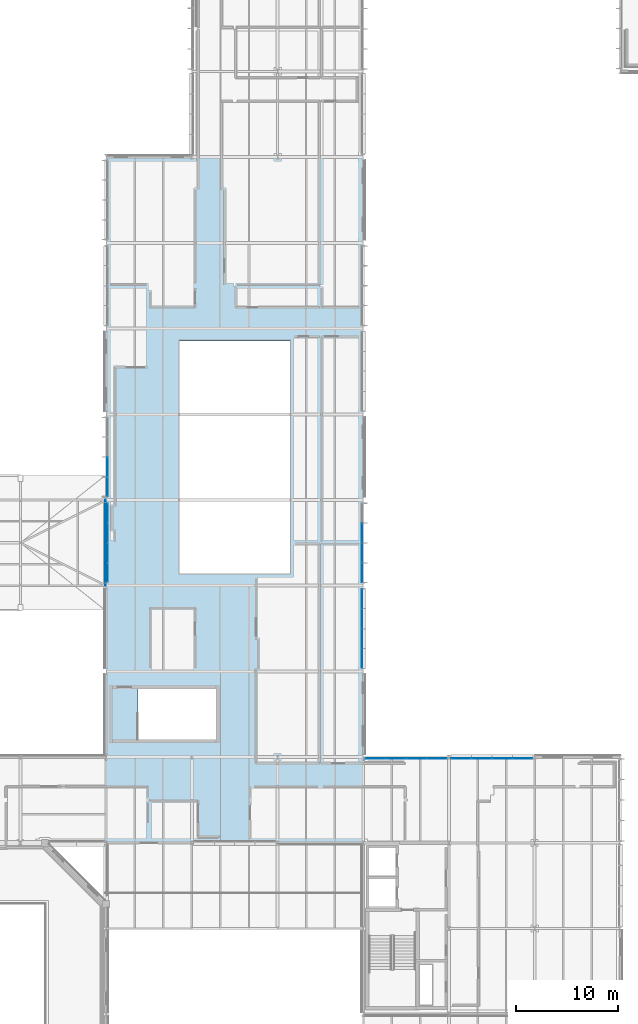
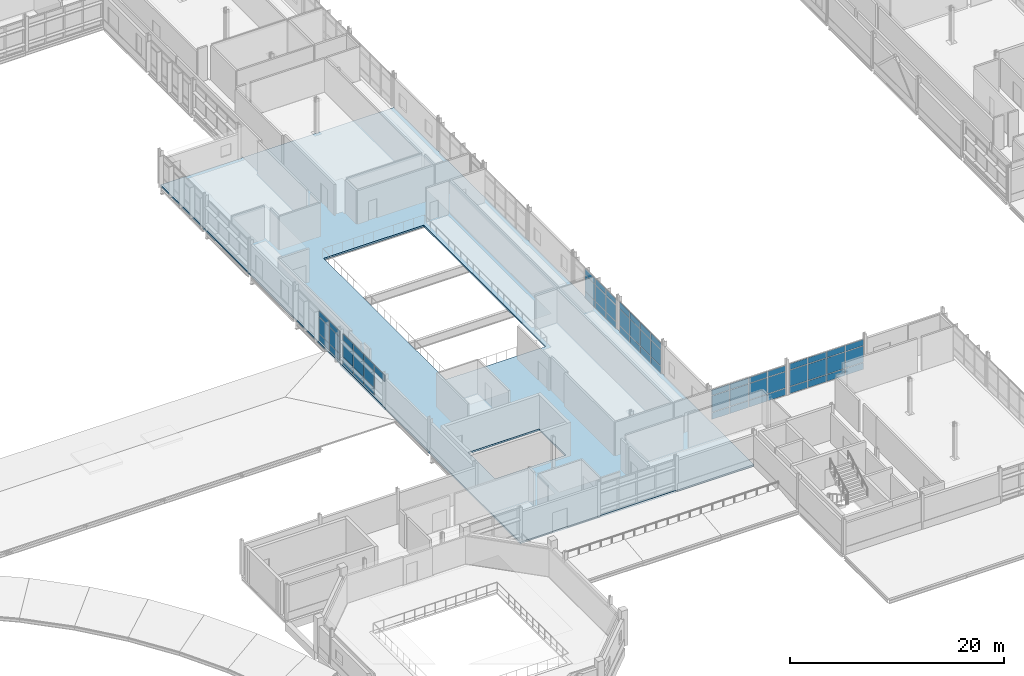
# One storey, part 109 of 151: 61 plates, 2 slabs, 6 elements without a shape of their own.
"""IFC4 building model written with IfcOpenShell, lengths in metres."""

from ifc_helpers import new_model, si_unit, direction, frame, origin, origin_2d, place, context, subcontext, project, spatial, polyline, rectangle, outline, extrude, material, layer, layer_set, type_object, element, aggregate, save


model = new_model("IFC4")

# Units and contexts
model_context = context("Model", 3, precision=1e-05, world=origin(), true_north=direction((0.0, 1.0)))
body_context = subcontext(model_context, "Body", "Model", "MODEL_VIEW")
ifc_project = project(units=[si_unit("LENGTHUNIT", "METRE"), si_unit("AREAUNIT", "SQUARE_METRE"), si_unit("VOLUMEUNIT", "CUBIC_METRE"), si_unit("PLANEANGLEUNIT", "RADIAN"), si_unit("MASSUNIT", "GRAM", prefix="KILO")], contexts=[model_context])

# Site, building, storey
site_placement = place(None, origin())
site = spatial("IfcSite", under=ifc_project, at=site_placement, CompositionType="ELEMENT")
building_placement = place(site_placement, origin())
building = spatial("IfcBuilding", under=site, at=building_placement, Name="Mersafa Astral City Hall", CompositionType="ELEMENT")
storey_placement = place(building_placement, frame((0.0, 0.0, 9.89990234375)))
storey = spatial("IfcBuildingStorey", under=building, at=storey_placement, Name="L02", CompositionType="ELEMENT", Elevation=9.89990234375)

# Curtain wall, plates
ifc_material_1 = material(Name="Anodised bronze aluminium framing", Category="aluminium")
curtain_wall_type_1 = type_object("IfcCurtainWallType", Name="ENV-CW-5", PredefinedType="USERDEFINED", material=ifc_material_1)
curtain_wall_1_placement = place(storey_placement, origin())
curtain_wall_1 = element("IfcCurtainWall", 1, at=curtain_wall_1_placement, inside=storey, type_object=curtain_wall_type_1, Name="L02 Unitised solar curtain wall 112", ObjectType="UNITISED CURTAIN WALL", PredefinedType="USERDEFINED")
ifc_material_2 = material(Name="Solar control low-e double glazing", Category="glass")
ifc_layer_1 = layer(ifc_material_2, 0.028076171875, Name="Solar control low-e double glazing")
ifc_layer_set_1 = layer_set([ifc_layer_1], Name="Solar control low-e double glazing — ENV-CW-PNL-GLZ-1")
plate_type_1 = type_object("IfcPlateType", Name="ENV-CW-PNL-GLZ-1", PredefinedType="CURTAIN_PANEL", material=ifc_layer_set_1)
plate_1_placement = place(storey_placement, frame((117.47998046875, 51.68017578125, 0.05810546875), z_axis=(0.0, 0.0, 1.0), x_axis=(0.0, 1.0, 0.0)))
plate_1 = element("IfcPlate", 2, at=plate_1_placement, type_object=plate_type_1, Name="CW-5 panel 1.1", PredefinedType="CURTAIN_PANEL", context=body_context, shape_type="SweptSolid", body=[
    extrude(rectangle(XDim=1.866455078125, YDim=0.028076171875, at=origin_2d()), origin(), (0.0, 0.0, 1.0), 0.761962890625),
])
plate_2_placement = place(storey_placement, frame((117.47998046875, 51.68017578125, 0.8798828125), z_axis=(0.0, 0.0, 1.0), x_axis=(0.0, 1.0, 0.0)))
plate_2 = element("IfcPlate", 3, at=plate_2_placement, type_object=plate_type_1, Name="CW-5 panel 1.2", PredefinedType="CURTAIN_PANEL", context=body_context, shape_type="SweptSolid", body=[
    extrude(rectangle(XDim=1.866455078125, YDim=0.028076171875, at=origin_2d()), origin(), (0.0, 0.0, 1.0), 1.840087890625),
])
plate_3_placement = place(storey_placement, frame((117.47998046875, 51.68017578125, 2.780029296875), z_axis=(0.0, 0.0, 1.0), x_axis=(0.0, 1.0, 0.0)))
plate_3 = element("IfcPlate", 4, at=plate_3_placement, type_object=plate_type_1, Name="CW-5 panel 1.3", PredefinedType="CURTAIN_PANEL", context=body_context, shape_type="SweptSolid", body=[
    extrude(rectangle(XDim=1.866455078125, YDim=0.028076171875, at=origin_2d()), origin(), (0.0, 0.0, 1.0), 0.64697265625),
])
plate_4_placement = place(storey_placement, frame((117.47998046875, 53.621826171875, 0.05810546875), z_axis=(0.0, 0.0, 1.0), x_axis=(0.0, 1.0, 0.0)))
plate_4 = element("IfcPlate", 5, at=plate_4_placement, type_object=plate_type_1, Name="CW-5 panel 2.1", PredefinedType="CURTAIN_PANEL", context=body_context, shape_type="SweptSolid", body=[
    extrude(rectangle(XDim=1.896484375, YDim=0.028076171875, at=origin_2d()), origin(), (0.0, 0.0, 1.0), 0.761962890625),
])
plate_5_placement = place(storey_placement, frame((117.47998046875, 53.621826171875, 0.8798828125), z_axis=(0.0, 0.0, 1.0), x_axis=(0.0, 1.0, 0.0)))
plate_5 = element("IfcPlate", 6, at=plate_5_placement, type_object=plate_type_1, Name="CW-5 panel 2.2", PredefinedType="CURTAIN_PANEL", context=body_context, shape_type="SweptSolid", body=[
    extrude(rectangle(XDim=1.896484375, YDim=0.028076171875, at=origin_2d()), origin(), (0.0, 0.0, 1.0), 1.840087890625),
])
plate_6_placement = place(storey_placement, frame((117.47998046875, 53.621826171875, 2.780029296875), z_axis=(0.0, 0.0, 1.0), x_axis=(0.0, 1.0, 0.0)))
plate_6 = element("IfcPlate", 7, at=plate_6_placement, type_object=plate_type_1, Name="CW-5 panel 2.3", PredefinedType="CURTAIN_PANEL", context=body_context, shape_type="SweptSolid", body=[
    extrude(rectangle(XDim=1.896484375, YDim=0.028076171875, at=origin_2d()), origin(), (0.0, 0.0, 1.0), 0.64697265625),
])
plate_7_placement = place(storey_placement, frame((117.47998046875, 55.578369140625, 0.05810546875), z_axis=(0.0, 0.0, 1.0), x_axis=(0.0, 1.0, 0.0)))
plate_7 = element("IfcPlate", 8, at=plate_7_placement, type_object=plate_type_1, Name="CW-5 panel 3.1", PredefinedType="CURTAIN_PANEL", context=body_context, shape_type="SweptSolid", body=[
    extrude(rectangle(XDim=1.896484375, YDim=0.028076171875, at=origin_2d()), origin(), (0.0, 0.0, 1.0), 0.761962890625),
])
plate_8_placement = place(storey_placement, frame((117.47998046875, 55.578369140625, 0.8798828125), z_axis=(0.0, 0.0, 1.0), x_axis=(0.0, 1.0, 0.0)))
plate_8 = element("IfcPlate", 9, at=plate_8_placement, type_object=plate_type_1, Name="CW-5 panel 3.2", PredefinedType="CURTAIN_PANEL", context=body_context, shape_type="SweptSolid", body=[
    extrude(rectangle(XDim=1.896484375, YDim=0.028076171875, at=origin_2d()), origin(), (0.0, 0.0, 1.0), 1.840087890625),
])
plate_9_placement = place(storey_placement, frame((117.47998046875, 55.578369140625, 2.780029296875), z_axis=(0.0, 0.0, 1.0), x_axis=(0.0, 1.0, 0.0)))
plate_9 = element("IfcPlate", 10, at=plate_9_placement, type_object=plate_type_1, Name="CW-5 panel 3.3", PredefinedType="CURTAIN_PANEL", context=body_context, shape_type="SweptSolid", body=[
    extrude(rectangle(XDim=1.896484375, YDim=0.028076171875, at=origin_2d()), origin(), (0.0, 0.0, 1.0), 0.64697265625),
])
aggregate(curtain_wall_1, [plate_1, plate_2, plate_3, plate_4, plate_5, plate_6, plate_7, plate_8, plate_9])

curtain_wall_type_2 = type_object("IfcCurtainWallType", Name="ENV-CW-2", PredefinedType="USERDEFINED", material=ifc_material_1)
curtain_wall_2_placement = place(storey_placement, origin())
curtain_wall_2 = element("IfcCurtainWall", 11, at=curtain_wall_2_placement, inside=storey, type_object=curtain_wall_type_2, Name="L02 Unitised solar curtain wall 109", ObjectType="UNITISED CURTAIN WALL", PredefinedType="USERDEFINED")
ifc_layer_2 = layer(ifc_material_2, 0.031982421875, Name="Solar control low-e double glazing")
ifc_layer_set_2 = layer_set([ifc_layer_2], Name="Solar control low-e double glazing — ENV-CW-PNL-GLZ-2")
plate_type_2 = type_object("IfcPlateType", Name="ENV-CW-PNL-GLZ-2", PredefinedType="CURTAIN_PANEL", material=ifc_layer_set_2)
plate_10_placement = place(storey_placement, frame((133.21337890625, 33.47998046875, 0.05810546875), z_axis=(0.0, 0.0, 1.0), x_axis=(-1.0, 0.0, 0.0)))
plate_10 = element("IfcPlate", 12, at=plate_10_placement, type_object=plate_type_2, Name="CW-2 panel 1.1", PredefinedType="CURTAIN_PANEL", context=body_context, shape_type="SweptSolid", body=[
    extrude(rectangle(XDim=1.928955078125, YDim=0.031982421875, at=origin_2d()), origin(), (0.0, 0.0, 1.0), 0.761962890625),
])
plate_11_placement = place(storey_placement, frame((133.21337890625, 33.47998046875, 0.8798828125), z_axis=(0.0, 0.0, 1.0), x_axis=(-1.0, 0.0, 0.0)))
plate_11 = element("IfcPlate", 13, at=plate_11_placement, type_object=plate_type_2, Name="CW-2 panel 1.2", PredefinedType="CURTAIN_PANEL", context=body_context, shape_type="SweptSolid", body=[
    extrude(rectangle(XDim=1.928955078125, YDim=0.031982421875, at=origin_2d()), origin(), (0.0, 0.0, 1.0), 1.840087890625),
])
plate_12_placement = place(storey_placement, frame((133.21337890625, 33.47998046875, 2.7802734375), z_axis=(0.0, 0.0, 1.0), x_axis=(-1.0, 0.0, 0.0)))
plate_12 = element("IfcPlate", 14, at=plate_12_placement, type_object=plate_type_2, Name="CW-2 panel 1.3", PredefinedType="CURTAIN_PANEL", context=body_context, shape_type="SweptSolid", body=[
    extrude(rectangle(XDim=1.928955078125, YDim=0.031982421875, at=origin_2d()), origin(), (0.0, 0.0, 1.0), 0.677001953125),
])
plate_13_placement = place(storey_placement, frame((131.20947265625, 33.47998046875, 0.05810546875), z_axis=(0.0, 0.0, 1.0), x_axis=(-1.0, 0.0, 0.0)))
plate_13 = element("IfcPlate", 15, at=plate_13_placement, type_object=plate_type_2, Name="CW-2 panel 2.1", PredefinedType="CURTAIN_PANEL", context=body_context, shape_type="SweptSolid", body=[
    extrude(rectangle(XDim=1.958984375, YDim=0.031982421875, at=origin_2d()), origin(), (0.0, 0.0, 1.0), 0.761962890625),
])
plate_14_placement = place(storey_placement, frame((131.20947265625, 33.47998046875, 0.8798828125), z_axis=(0.0, 0.0, 1.0), x_axis=(-1.0, 0.0, 0.0)))
plate_14 = element("IfcPlate", 16, at=plate_14_placement, type_object=plate_type_2, Name="CW-2 panel 2.2", PredefinedType="CURTAIN_PANEL", context=body_context, shape_type="SweptSolid", body=[
    extrude(rectangle(XDim=1.958984375, YDim=0.031982421875, at=origin_2d()), origin(), (0.0, 0.0, 1.0), 1.840087890625),
])
plate_15_placement = place(storey_placement, frame((131.20947265625, 33.47998046875, 2.7802734375), z_axis=(0.0, 0.0, 1.0), x_axis=(-1.0, 0.0, 0.0)))
plate_15 = element("IfcPlate", 17, at=plate_15_placement, type_object=plate_type_2, Name="CW-2 panel 2.3", PredefinedType="CURTAIN_PANEL", context=body_context, shape_type="SweptSolid", body=[
    extrude(rectangle(XDim=1.958984375, YDim=0.031982421875, at=origin_2d()), origin(), (0.0, 0.0, 1.0), 0.677001953125),
])
plate_16_placement = place(storey_placement, frame((129.1904296875, 33.47998046875, 0.05810546875), z_axis=(0.0, 0.0, 1.0), x_axis=(-1.0, 0.0, 0.0)))
plate_16 = element("IfcPlate", 18, at=plate_16_placement, type_object=plate_type_2, Name="CW-2 panel 3.1", PredefinedType="CURTAIN_PANEL", context=body_context, shape_type="SweptSolid", body=[
    extrude(rectangle(XDim=1.958984375, YDim=0.031982421875, at=origin_2d()), origin(), (0.0, 0.0, 1.0), 0.761962890625),
])
plate_17_placement = place(storey_placement, frame((129.1904296875, 33.47998046875, 0.8798828125), z_axis=(0.0, 0.0, 1.0), x_axis=(-1.0, 0.0, 0.0)))
plate_17 = element("IfcPlate", 19, at=plate_17_placement, type_object=plate_type_2, Name="CW-2 panel 3.2", PredefinedType="CURTAIN_PANEL", context=body_context, shape_type="SweptSolid", body=[
    extrude(rectangle(XDim=1.958984375, YDim=0.031982421875, at=origin_2d()), origin(), (0.0, 0.0, 1.0), 1.840087890625),
])
plate_18_placement = place(storey_placement, frame((129.1904296875, 33.47998046875, 2.7802734375), z_axis=(0.0, 0.0, 1.0), x_axis=(-1.0, 0.0, 0.0)))
plate_18 = element("IfcPlate", 20, at=plate_18_placement, type_object=plate_type_2, Name="CW-2 panel 3.3", PredefinedType="CURTAIN_PANEL", context=body_context, shape_type="SweptSolid", body=[
    extrude(rectangle(XDim=1.958984375, YDim=0.031982421875, at=origin_2d()), origin(), (0.0, 0.0, 1.0), 0.677001953125),
])
plate_19_placement = place(storey_placement, frame((127.1865234375, 33.47998046875, 0.05810546875), z_axis=(0.0, 0.0, 1.0), x_axis=(-1.0, 0.0, 0.0)))
plate_19 = element("IfcPlate", 21, at=plate_19_placement, type_object=plate_type_2, Name="CW-2 panel 4.1", PredefinedType="CURTAIN_PANEL", context=body_context, shape_type="SweptSolid", body=[
    extrude(rectangle(XDim=1.928955078125, YDim=0.031982421875, at=origin_2d()), origin(), (0.0, 0.0, 1.0), 0.761962890625),
])
plate_20_placement = place(storey_placement, frame((127.1865234375, 33.47998046875, 0.8798828125), z_axis=(0.0, 0.0, 1.0), x_axis=(-1.0, 0.0, 0.0)))
plate_20 = element("IfcPlate", 22, at=plate_20_placement, type_object=plate_type_2, Name="CW-2 panel 4.2", PredefinedType="CURTAIN_PANEL", context=body_context, shape_type="SweptSolid", body=[
    extrude(rectangle(XDim=1.928955078125, YDim=0.031982421875, at=origin_2d()), origin(), (0.0, 0.0, 1.0), 1.840087890625),
])
plate_21_placement = place(storey_placement, frame((127.1865234375, 33.47998046875, 2.7802734375), z_axis=(0.0, 0.0, 1.0), x_axis=(-1.0, 0.0, 0.0)))
plate_21 = element("IfcPlate", 23, at=plate_21_placement, type_object=plate_type_2, Name="CW-2 panel 4.3", PredefinedType="CURTAIN_PANEL", context=body_context, shape_type="SweptSolid", body=[
    extrude(rectangle(XDim=1.928955078125, YDim=0.031982421875, at=origin_2d()), origin(), (0.0, 0.0, 1.0), 0.677001953125),
])
aggregate(curtain_wall_2, [plate_10, plate_11, plate_12, plate_13, plate_14, plate_15, plate_16, plate_17, plate_18, plate_19, plate_20, plate_21])

curtain_wall_type_3 = type_object("IfcCurtainWallType", Name="ENV-CW-3", PredefinedType="USERDEFINED", material=ifc_material_1)
curtain_wall_3_placement = place(storey_placement, origin())
curtain_wall_3 = element("IfcCurtainWall", 24, at=curtain_wall_3_placement, inside=storey, type_object=curtain_wall_type_3, Name="L02 Unitised solar curtain wall 110", ObjectType="UNITISED CURTAIN WALL", PredefinedType="USERDEFINED")
ifc_layer_3 = layer(ifc_material_2, 0.035888671875, Name="Solar control low-e double glazing")
ifc_layer_set_3 = layer_set([ifc_layer_3], Name="Solar control low-e double glazing — ENV-CW-PNL-GLZ-3")
plate_type_3 = type_object("IfcPlateType", Name="ENV-CW-PNL-GLZ-3", PredefinedType="CURTAIN_PANEL", material=ifc_layer_set_3)
plate_22_placement = place(storey_placement, frame((124.8134765625, 33.47998046875, 0.05810546875), z_axis=(0.0, 0.0, 1.0), x_axis=(-1.0, 0.0, 0.0)))
plate_22 = element("IfcPlate", 25, at=plate_22_placement, type_object=plate_type_3, Name="CW-3 panel 1.1", PredefinedType="CURTAIN_PANEL", context=body_context, shape_type="SweptSolid", body=[
    extrude(rectangle(XDim=1.928955078125, YDim=0.035888671875, at=origin_2d()), origin(), (0.0, 0.0, 1.0), 0.761962890625),
])
plate_23_placement = place(storey_placement, frame((124.8134765625, 33.47998046875, 0.8798828125), z_axis=(0.0, 0.0, 1.0), x_axis=(-1.0, 0.0, 0.0)))
plate_23 = element("IfcPlate", 26, at=plate_23_placement, type_object=plate_type_3, Name="CW-3 panel 1.2", PredefinedType="CURTAIN_PANEL", context=body_context, shape_type="SweptSolid", body=[
    extrude(rectangle(XDim=1.928955078125, YDim=0.035888671875, at=origin_2d()), origin(), (0.0, 0.0, 1.0), 1.840087890625),
])
plate_24_placement = place(storey_placement, frame((124.8134765625, 33.47998046875, 2.780029296875), z_axis=(0.0, 0.0, 1.0), x_axis=(-1.0, 0.0, 0.0)))
plate_24 = element("IfcPlate", 27, at=plate_24_placement, type_object=plate_type_3, Name="CW-3 panel 1.3", PredefinedType="CURTAIN_PANEL", context=body_context, shape_type="SweptSolid", body=[
    extrude(rectangle(XDim=1.928955078125, YDim=0.035888671875, at=origin_2d()), origin(), (0.0, 0.0, 1.0), 0.64697265625),
])
plate_25_placement = place(storey_placement, frame((122.8095703125, 33.47998046875, 0.05810546875), z_axis=(0.0, 0.0, 1.0), x_axis=(-1.0, 0.0, 0.0)))
plate_25 = element("IfcPlate", 28, at=plate_25_placement, type_object=plate_type_3, Name="CW-3 panel 2.1", PredefinedType="CURTAIN_PANEL", context=body_context, shape_type="SweptSolid", body=[
    extrude(rectangle(XDim=1.958984375, YDim=0.035888671875, at=origin_2d()), origin(), (0.0, 0.0, 1.0), 0.761962890625),
])
plate_26_placement = place(storey_placement, frame((122.8095703125, 33.47998046875, 0.8798828125), z_axis=(0.0, 0.0, 1.0), x_axis=(-1.0, 0.0, 0.0)))
plate_26 = element("IfcPlate", 29, at=plate_26_placement, type_object=plate_type_3, Name="CW-3 panel 2.2", PredefinedType="CURTAIN_PANEL", context=body_context, shape_type="SweptSolid", body=[
    extrude(rectangle(XDim=1.958984375, YDim=0.035888671875, at=origin_2d()), origin(), (0.0, 0.0, 1.0), 1.840087890625),
])
plate_27_placement = place(storey_placement, frame((122.8095703125, 33.47998046875, 2.780029296875), z_axis=(0.0, 0.0, 1.0), x_axis=(-1.0, 0.0, 0.0)))
plate_27 = element("IfcPlate", 30, at=plate_27_placement, type_object=plate_type_3, Name="CW-3 panel 2.3", PredefinedType="CURTAIN_PANEL", context=body_context, shape_type="SweptSolid", body=[
    extrude(rectangle(XDim=1.958984375, YDim=0.035888671875, at=origin_2d()), origin(), (0.0, 0.0, 1.0), 0.64697265625),
])
plate_28_placement = place(storey_placement, frame((120.79052734375, 33.47998046875, 0.05810546875), z_axis=(0.0, 0.0, 1.0), x_axis=(-1.0, 0.0, 0.0)))
plate_28 = element("IfcPlate", 31, at=plate_28_placement, type_object=plate_type_3, Name="CW-3 panel 3.1", PredefinedType="CURTAIN_PANEL", context=body_context, shape_type="SweptSolid", body=[
    extrude(rectangle(XDim=1.958984375, YDim=0.035888671875, at=origin_2d()), origin(), (0.0, 0.0, 1.0), 0.761962890625),
])
plate_29_placement = place(storey_placement, frame((120.79052734375, 33.47998046875, 0.8798828125), z_axis=(0.0, 0.0, 1.0), x_axis=(-1.0, 0.0, 0.0)))
plate_29 = element("IfcPlate", 32, at=plate_29_placement, type_object=plate_type_3, Name="CW-3 panel 3.2", PredefinedType="CURTAIN_PANEL", context=body_context, shape_type="SweptSolid", body=[
    extrude(rectangle(XDim=1.958984375, YDim=0.035888671875, at=origin_2d()), origin(), (0.0, 0.0, 1.0), 1.840087890625),
])
plate_30_placement = place(storey_placement, frame((120.79052734375, 33.47998046875, 2.780029296875), z_axis=(0.0, 0.0, 1.0), x_axis=(-1.0, 0.0, 0.0)))
plate_30 = element("IfcPlate", 33, at=plate_30_placement, type_object=plate_type_3, Name="CW-3 panel 3.3", PredefinedType="CURTAIN_PANEL", context=body_context, shape_type="SweptSolid", body=[
    extrude(rectangle(XDim=1.958984375, YDim=0.035888671875, at=origin_2d()), origin(), (0.0, 0.0, 1.0), 0.64697265625),
])
plate_31_placement = place(storey_placement, frame((118.78662109375, 33.47998046875, 0.05810546875), z_axis=(0.0, 0.0, 1.0), x_axis=(-1.0, 0.0, 0.0)))
plate_31 = element("IfcPlate", 34, at=plate_31_placement, type_object=plate_type_3, Name="CW-3 panel 4.1", PredefinedType="CURTAIN_PANEL", context=body_context, shape_type="SweptSolid", body=[
    extrude(rectangle(XDim=1.928955078125, YDim=0.035888671875, at=origin_2d()), origin(), (0.0, 0.0, 1.0), 0.761962890625),
])
plate_32_placement = place(storey_placement, frame((118.78662109375, 33.47998046875, 0.8798828125), z_axis=(0.0, 0.0, 1.0), x_axis=(-1.0, 0.0, 0.0)))
plate_32 = element("IfcPlate", 35, at=plate_32_placement, type_object=plate_type_3, Name="CW-3 panel 4.2", PredefinedType="CURTAIN_PANEL", context=body_context, shape_type="SweptSolid", body=[
    extrude(rectangle(XDim=1.928955078125, YDim=0.035888671875, at=origin_2d()), origin(), (0.0, 0.0, 1.0), 1.840087890625),
])
plate_33_placement = place(storey_placement, frame((118.78662109375, 33.47998046875, 2.780029296875), z_axis=(0.0, 0.0, 1.0), x_axis=(-1.0, 0.0, 0.0)))
plate_33 = element("IfcPlate", 36, at=plate_33_placement, type_object=plate_type_3, Name="CW-3 panel 4.3", PredefinedType="CURTAIN_PANEL", context=body_context, shape_type="SweptSolid", body=[
    extrude(rectangle(XDim=1.928955078125, YDim=0.035888671875, at=origin_2d()), origin(), (0.0, 0.0, 1.0), 0.64697265625),
])
aggregate(curtain_wall_3, [plate_22, plate_23, plate_24, plate_25, plate_26, plate_27, plate_28, plate_29, plate_30, plate_31, plate_32, plate_33])

curtain_wall_4_placement = place(storey_placement, origin())
curtain_wall_4 = element("IfcCurtainWall", 37, at=curtain_wall_4_placement, inside=storey, type_object=curtain_wall_type_3, Name="L02 Unitised solar curtain wall 146", ObjectType="UNITISED CURTAIN WALL", PredefinedType="USERDEFINED")
plate_34_placement = place(storey_placement, frame((92.52001953125, 62.021728515625, 0.05810546875), z_axis=(0.0, 0.0, 1.0), x_axis=(0.0, -1.0, 0.0)))
plate_34 = element("IfcPlate", 38, at=plate_34_placement, type_object=plate_type_3, Name="CW-3 panel 3.1", PredefinedType="CURTAIN_PANEL", context=body_context, shape_type="SweptSolid", body=[
    extrude(rectangle(XDim=1.896484375, YDim=0.035888671875, at=origin_2d()), origin(), (0.0, 0.0, 1.0), 0.761962890625),
])
plate_35_placement = place(storey_placement, frame((92.52001953125, 62.021728515625, 0.8798828125), z_axis=(0.0, 0.0, 1.0), x_axis=(0.0, -1.0, 0.0)))
plate_35 = element("IfcPlate", 39, at=plate_35_placement, type_object=plate_type_3, Name="CW-3 panel 3.2", PredefinedType="CURTAIN_PANEL", context=body_context, shape_type="SweptSolid", body=[
    extrude(rectangle(XDim=1.896484375, YDim=0.035888671875, at=origin_2d()), origin(), (0.0, 0.0, 1.0), 1.840087890625),
])
plate_36_placement = place(storey_placement, frame((92.52001953125, 62.021728515625, 2.780029296875), z_axis=(0.0, 0.0, 1.0), x_axis=(0.0, -1.0, 0.0)))
plate_36 = element("IfcPlate", 40, at=plate_36_placement, type_object=plate_type_3, Name="CW-3 panel 3.3", PredefinedType="CURTAIN_PANEL", context=body_context, shape_type="SweptSolid", body=[
    extrude(rectangle(XDim=1.896484375, YDim=0.035888671875, at=origin_2d()), origin(), (0.0, 0.0, 1.0), 0.64697265625),
])
plate_37_placement = place(storey_placement, frame((92.52001953125, 60.080322265625, 0.05810546875), z_axis=(0.0, 0.0, 1.0), x_axis=(0.0, -1.0, 0.0)))
plate_37 = element("IfcPlate", 41, at=plate_37_placement, type_object=plate_type_3, Name="CW-3 panel 4.1", PredefinedType="CURTAIN_PANEL", context=body_context, shape_type="SweptSolid", body=[
    extrude(rectangle(XDim=1.866455078125, YDim=0.035888671875, at=origin_2d()), origin(), (0.0, 0.0, 1.0), 0.761962890625),
])
plate_38_placement = place(storey_placement, frame((92.52001953125, 60.080322265625, 0.8798828125), z_axis=(0.0, 0.0, 1.0), x_axis=(0.0, -1.0, 0.0)))
plate_38 = element("IfcPlate", 42, at=plate_38_placement, type_object=plate_type_3, Name="CW-3 panel 4.2", PredefinedType="CURTAIN_PANEL", context=body_context, shape_type="SweptSolid", body=[
    extrude(rectangle(XDim=1.866455078125, YDim=0.035888671875, at=origin_2d()), origin(), (0.0, 0.0, 1.0), 1.840087890625),
])
plate_39_placement = place(storey_placement, frame((92.52001953125, 60.080322265625, 2.780029296875), z_axis=(0.0, 0.0, 1.0), x_axis=(0.0, -1.0, 0.0)))
plate_39 = element("IfcPlate", 43, at=plate_39_placement, type_object=plate_type_3, Name="CW-3 panel 4.3", PredefinedType="CURTAIN_PANEL", context=body_context, shape_type="SweptSolid", body=[
    extrude(rectangle(XDim=1.866455078125, YDim=0.035888671875, at=origin_2d()), origin(), (0.0, 0.0, 1.0), 0.64697265625),
])
aggregate(curtain_wall_4, [plate_34, plate_35, plate_36, plate_37, plate_38, plate_39])

curtain_wall_type_4 = type_object("IfcCurtainWallType", Name="ENV-CW-4", PredefinedType="USERDEFINED", material=ifc_material_1)
curtain_wall_5_placement = place(storey_placement, origin())
curtain_wall_5 = element("IfcCurtainWall", 44, at=curtain_wall_5_placement, inside=storey, type_object=curtain_wall_type_4, Name="L02 Unitised solar curtain wall 111", ObjectType="UNITISED CURTAIN WALL", PredefinedType="USERDEFINED")
ifc_layer_4 = layer(ifc_material_2, 0.0400390625, Name="Solar control low-e double glazing")
ifc_layer_set_4 = layer_set([ifc_layer_4], Name="Solar control low-e double glazing — ENV-CW-PNL-GLZ-4")
plate_type_4 = type_object("IfcPlateType", Name="ENV-CW-PNL-GLZ-4", PredefinedType="CURTAIN_PANEL", material=ifc_layer_set_4)
plate_40_placement = place(storey_placement, frame((117.47998046875, 43.2802734375, 0.05810546875), z_axis=(0.0, 0.0, 1.0), x_axis=(0.0, 1.0, 0.0)))
plate_40 = element("IfcPlate", 45, at=plate_40_placement, type_object=plate_type_4, Name="CW-4 panel 1.1", PredefinedType="CURTAIN_PANEL", context=body_context, shape_type="SweptSolid", body=[
    extrude(rectangle(XDim=1.866455078125, YDim=0.0400390625, at=origin_2d()), origin(), (0.0, 0.0, 1.0), 0.761962890625),
])
plate_41_placement = place(storey_placement, frame((117.47998046875, 43.2802734375, 0.8798828125), z_axis=(0.0, 0.0, 1.0), x_axis=(0.0, 1.0, 0.0)))
plate_41 = element("IfcPlate", 46, at=plate_41_placement, type_object=plate_type_4, Name="CW-4 panel 1.2", PredefinedType="CURTAIN_PANEL", context=body_context, shape_type="SweptSolid", body=[
    extrude(rectangle(XDim=1.866455078125, YDim=0.0400390625, at=origin_2d()), origin(), (0.0, 0.0, 1.0), 1.840087890625),
])
plate_42_placement = place(storey_placement, frame((117.47998046875, 43.2802734375, 2.7802734375), z_axis=(0.0, 0.0, 1.0), x_axis=(0.0, 1.0, 0.0)))
plate_42 = element("IfcPlate", 47, at=plate_42_placement, type_object=plate_type_4, Name="CW-4 panel 1.3", PredefinedType="CURTAIN_PANEL", context=body_context, shape_type="SweptSolid", body=[
    extrude(rectangle(XDim=1.866455078125, YDim=0.0400390625, at=origin_2d()), origin(), (0.0, 0.0, 1.0), 0.737060546875),
])
plate_43_placement = place(storey_placement, frame((117.47998046875, 45.2216796875, 0.05810546875), z_axis=(0.0, 0.0, 1.0), x_axis=(0.0, 1.0, 0.0)))
plate_43 = element("IfcPlate", 48, at=plate_43_placement, type_object=plate_type_4, Name="CW-4 panel 2.1", PredefinedType="CURTAIN_PANEL", context=body_context, shape_type="SweptSolid", body=[
    extrude(rectangle(XDim=1.896484375, YDim=0.0400390625, at=origin_2d()), origin(), (0.0, 0.0, 1.0), 0.761962890625),
])
plate_44_placement = place(storey_placement, frame((117.47998046875, 45.2216796875, 0.8798828125), z_axis=(0.0, 0.0, 1.0), x_axis=(0.0, 1.0, 0.0)))
plate_44 = element("IfcPlate", 49, at=plate_44_placement, type_object=plate_type_4, Name="CW-4 panel 2.2", PredefinedType="CURTAIN_PANEL", context=body_context, shape_type="SweptSolid", body=[
    extrude(rectangle(XDim=1.896484375, YDim=0.0400390625, at=origin_2d()), origin(), (0.0, 0.0, 1.0), 1.840087890625),
])
plate_45_placement = place(storey_placement, frame((117.47998046875, 45.2216796875, 2.7802734375), z_axis=(0.0, 0.0, 1.0), x_axis=(0.0, 1.0, 0.0)))
plate_45 = element("IfcPlate", 50, at=plate_45_placement, type_object=plate_type_4, Name="CW-4 panel 2.3", PredefinedType="CURTAIN_PANEL", context=body_context, shape_type="SweptSolid", body=[
    extrude(rectangle(XDim=1.896484375, YDim=0.0400390625, at=origin_2d()), origin(), (0.0, 0.0, 1.0), 0.737060546875),
])
plate_46_placement = place(storey_placement, frame((117.47998046875, 47.17822265625, 0.05810546875), z_axis=(0.0, 0.0, 1.0), x_axis=(0.0, 1.0, 0.0)))
plate_46 = element("IfcPlate", 51, at=plate_46_placement, type_object=plate_type_4, Name="CW-4 panel 3.1", PredefinedType="CURTAIN_PANEL", context=body_context, shape_type="SweptSolid", body=[
    extrude(rectangle(XDim=1.896484375, YDim=0.0400390625, at=origin_2d()), origin(), (0.0, 0.0, 1.0), 0.761962890625),
])
plate_47_placement = place(storey_placement, frame((117.47998046875, 47.17822265625, 0.8798828125), z_axis=(0.0, 0.0, 1.0), x_axis=(0.0, 1.0, 0.0)))
plate_47 = element("IfcPlate", 52, at=plate_47_placement, type_object=plate_type_4, Name="CW-4 panel 3.2", PredefinedType="CURTAIN_PANEL", context=body_context, shape_type="SweptSolid", body=[
    extrude(rectangle(XDim=1.896484375, YDim=0.0400390625, at=origin_2d()), origin(), (0.0, 0.0, 1.0), 1.840087890625),
])
plate_48_placement = place(storey_placement, frame((117.47998046875, 47.17822265625, 2.7802734375), z_axis=(0.0, 0.0, 1.0), x_axis=(0.0, 1.0, 0.0)))
plate_48 = element("IfcPlate", 53, at=plate_48_placement, type_object=plate_type_4, Name="CW-4 panel 3.3", PredefinedType="CURTAIN_PANEL", context=body_context, shape_type="SweptSolid", body=[
    extrude(rectangle(XDim=1.896484375, YDim=0.0400390625, at=origin_2d()), origin(), (0.0, 0.0, 1.0), 0.737060546875),
])
plate_49_placement = place(storey_placement, frame((117.47998046875, 49.11962890625, 0.05810546875), z_axis=(0.0, 0.0, 1.0), x_axis=(0.0, 1.0, 0.0)))
plate_49 = element("IfcPlate", 54, at=plate_49_placement, type_object=plate_type_4, Name="CW-4 panel 4.1", PredefinedType="CURTAIN_PANEL", context=body_context, shape_type="SweptSolid", body=[
    extrude(rectangle(XDim=1.866455078125, YDim=0.0400390625, at=origin_2d()), origin(), (0.0, 0.0, 1.0), 0.761962890625),
])
plate_50_placement = place(storey_placement, frame((117.47998046875, 49.11962890625, 0.8798828125), z_axis=(0.0, 0.0, 1.0), x_axis=(0.0, 1.0, 0.0)))
plate_50 = element("IfcPlate", 55, at=plate_50_placement, type_object=plate_type_4, Name="CW-4 panel 4.2", PredefinedType="CURTAIN_PANEL", context=body_context, shape_type="SweptSolid", body=[
    extrude(rectangle(XDim=1.866455078125, YDim=0.0400390625, at=origin_2d()), origin(), (0.0, 0.0, 1.0), 1.840087890625),
])
plate_51_placement = place(storey_placement, frame((117.47998046875, 49.11962890625, 2.7802734375), z_axis=(0.0, 0.0, 1.0), x_axis=(0.0, 1.0, 0.0)))
plate_51 = element("IfcPlate", 56, at=plate_51_placement, type_object=plate_type_4, Name="CW-4 panel 4.3", PredefinedType="CURTAIN_PANEL", context=body_context, shape_type="SweptSolid", body=[
    extrude(rectangle(XDim=1.866455078125, YDim=0.0400390625, at=origin_2d()), origin(), (0.0, 0.0, 1.0), 0.737060546875),
])
aggregate(curtain_wall_5, [plate_40, plate_41, plate_42, plate_43, plate_44, plate_45, plate_46, plate_47, plate_48, plate_49, plate_50, plate_51])

curtain_wall_6_placement = place(storey_placement, origin())
curtain_wall_6 = element("IfcCurtainWall", 57, at=curtain_wall_6_placement, inside=storey, type_object=curtain_wall_type_4, Name="L02 Unitised solar curtain wall 147", ObjectType="UNITISED CURTAIN WALL", PredefinedType="USERDEFINED")
plate_52_placement = place(storey_placement, frame((92.52001953125, 57.519775390625, 0.05810546875), z_axis=(0.0, 0.0, 1.0), x_axis=(0.0, -1.0, 0.0)))
plate_52 = element("IfcPlate", 58, at=plate_52_placement, type_object=plate_type_4, Name="CW-4 panel 1.1", PredefinedType="CURTAIN_PANEL", context=body_context, shape_type="SweptSolid", body=[
    extrude(rectangle(XDim=1.866455078125, YDim=0.0400390625, at=origin_2d()), origin(), (0.0, 0.0, 1.0), 0.761962890625),
])
plate_53_placement = place(storey_placement, frame((92.52001953125, 57.519775390625, 0.8798828125), z_axis=(0.0, 0.0, 1.0), x_axis=(0.0, -1.0, 0.0)))
plate_53 = element("IfcPlate", 59, at=plate_53_placement, type_object=plate_type_4, Name="CW-4 panel 1.2", PredefinedType="CURTAIN_PANEL", context=body_context, shape_type="SweptSolid", body=[
    extrude(rectangle(XDim=1.866455078125, YDim=0.0400390625, at=origin_2d()), origin(), (0.0, 0.0, 1.0), 1.840087890625),
])
plate_54_placement = place(storey_placement, frame((92.52001953125, 57.519775390625, 2.7802734375), z_axis=(0.0, 0.0, 1.0), x_axis=(0.0, -1.0, 0.0)))
plate_54 = element("IfcPlate", 60, at=plate_54_placement, type_object=plate_type_4, Name="CW-4 panel 1.3", PredefinedType="CURTAIN_PANEL", context=body_context, shape_type="SweptSolid", body=[
    extrude(rectangle(XDim=1.866455078125, YDim=0.0400390625, at=origin_2d()), origin(), (0.0, 0.0, 1.0), 0.737060546875),
])
plate_55_placement = place(storey_placement, frame((92.52001953125, 55.578369140625, 0.05810546875), z_axis=(0.0, 0.0, 1.0), x_axis=(0.0, -1.0, 0.0)))
plate_55 = element("IfcPlate", 61, at=plate_55_placement, type_object=plate_type_4, Name="CW-4 panel 2.1", PredefinedType="CURTAIN_PANEL", context=body_context, shape_type="SweptSolid", body=[
    extrude(rectangle(XDim=1.896484375, YDim=0.0400390625, at=origin_2d()), origin(), (0.0, 0.0, 1.0), 0.761962890625),
])
plate_56_placement = place(storey_placement, frame((92.52001953125, 55.578369140625, 0.8798828125), z_axis=(0.0, 0.0, 1.0), x_axis=(0.0, -1.0, 0.0)))
plate_56 = element("IfcPlate", 62, at=plate_56_placement, type_object=plate_type_4, Name="CW-4 panel 2.2", PredefinedType="CURTAIN_PANEL", context=body_context, shape_type="SweptSolid", body=[
    extrude(rectangle(XDim=1.896484375, YDim=0.0400390625, at=origin_2d()), origin(), (0.0, 0.0, 1.0), 1.840087890625),
])
plate_57_placement = place(storey_placement, frame((92.52001953125, 55.578369140625, 2.7802734375), z_axis=(0.0, 0.0, 1.0), x_axis=(0.0, -1.0, 0.0)))
plate_57 = element("IfcPlate", 63, at=plate_57_placement, type_object=plate_type_4, Name="CW-4 panel 2.3", PredefinedType="CURTAIN_PANEL", context=body_context, shape_type="SweptSolid", body=[
    extrude(rectangle(XDim=1.896484375, YDim=0.0400390625, at=origin_2d()), origin(), (0.0, 0.0, 1.0), 0.737060546875),
])
plate_58_placement = place(storey_placement, frame((92.52001953125, 53.621826171875, 0.05810546875), z_axis=(0.0, 0.0, 1.0), x_axis=(0.0, -1.0, 0.0)))
plate_58 = element("IfcPlate", 64, at=plate_58_placement, type_object=plate_type_4, Name="CW-4 panel 3.1", PredefinedType="CURTAIN_PANEL", context=body_context, shape_type="SweptSolid", body=[
    extrude(rectangle(XDim=1.896484375, YDim=0.0400390625, at=origin_2d()), origin(), (0.0, 0.0, 1.0), 0.761962890625),
])
plate_59_placement = place(storey_placement, frame((92.52001953125, 53.621826171875, 0.8798828125), z_axis=(0.0, 0.0, 1.0), x_axis=(0.0, -1.0, 0.0)))
plate_59 = element("IfcPlate", 65, at=plate_59_placement, type_object=plate_type_4, Name="CW-4 panel 3.2", PredefinedType="CURTAIN_PANEL", context=body_context, shape_type="SweptSolid", body=[
    extrude(rectangle(XDim=1.896484375, YDim=0.0400390625, at=origin_2d()), origin(), (0.0, 0.0, 1.0), 1.840087890625),
])
plate_60_placement = place(storey_placement, frame((92.52001953125, 53.621826171875, 2.7802734375), z_axis=(0.0, 0.0, 1.0), x_axis=(0.0, -1.0, 0.0)))
plate_60 = element("IfcPlate", 66, at=plate_60_placement, type_object=plate_type_4, Name="CW-4 panel 3.3", PredefinedType="CURTAIN_PANEL", context=body_context, shape_type="SweptSolid", body=[
    extrude(rectangle(XDim=1.896484375, YDim=0.0400390625, at=origin_2d()), origin(), (0.0, 0.0, 1.0), 0.737060546875),
])
plate_61_placement = place(storey_placement, frame((92.52001953125, 51.68017578125, 2.7802734375), z_axis=(0.0, 0.0, 1.0), x_axis=(0.0, -1.0, 0.0)))
plate_61 = element("IfcPlate", 67, at=plate_61_placement, type_object=plate_type_4, Name="CW-4 panel 4.3", PredefinedType="CURTAIN_PANEL", context=body_context, shape_type="SweptSolid", body=[
    extrude(rectangle(XDim=1.866455078125, YDim=0.0400390625, at=origin_2d()), origin(), (0.0, 0.0, 1.0), 0.737060546875),
])
aggregate(curtain_wall_6, [plate_52, plate_53, plate_54, plate_55, plate_56, plate_57, plate_58, plate_59, plate_60, plate_61])

# Slabs
ifc_material_3 = material(Name="Concrete C35/45", Category="concrete")
ifc_layer_5 = layer(ifc_material_3, 0.199951171875, Name="Concrete C35/45")
ifc_layer_set_5 = layer_set([ifc_layer_5], Name="Concrete C35/45 — STR-SLAB-FLR-200")
slab_type_1 = type_object("IfcSlabType", Name="STR-SLAB-FLR-200", PredefinedType="FLOOR", material=ifc_layer_set_5)
slab_1_placement = place(storey_placement, frame((0.0, 0.0, -0.199951171875)))
element("IfcSlab", 68, at=slab_1_placement, inside=storey, type_object=slab_type_1, Name="L02 V2 structural floor slab 1", PredefinedType="FLOOR", context=body_context, shape_type="SweptSolid", body=[
    extrude(outline(polyline([(92.39990234375, 50.39990234375), (92.39990234375, 58.800048828125), (92.39990234375, 67.199951171875), (92.39990234375, 75.60009765625), (92.39990234375, 84.0), (92.39990234375, 92.39990234375), (100.800048828125, 92.39990234375), (109.199951171875, 92.39990234375), (117.60009765625, 92.39990234375), (117.60009765625, 84.0), (117.60009765625, 75.60009765625), (117.60009765625, 67.199951171875), (117.60009765625, 58.800048828125), (117.60009765625, 50.39990234375), (117.60009765625, 42.0), (117.60009765625, 33.60009765625), (117.60009765625, 25.199951171875), (109.199951171875, 25.199951171875), (100.800048828125, 25.199951171875), (92.39990234375, 25.199951171875), (92.39990234375, 33.60009765625), (92.39990234375, 42.0), (92.39990234375, 50.39990234375)]), holes=[polyline([(95.5, 35.320068359375), (103.14990234375, 35.320068359375), (103.14990234375, 40.280029296875), (95.5, 40.280029296875), (95.5, 35.320068359375)]), polyline([(110.39990234375, 51.60009765625), (110.39990234375, 74.39990234375), (99.60009765625, 74.39990234375), (99.60009765625, 51.60009765625), (110.39990234375, 51.60009765625)])]), origin(), (0.0, 0.0, 1.0), 0.199951171875),
])
ifc_material_4 = material(Name="Concrete C40/50", Category="concrete")
ifc_layer_6 = layer(ifc_material_4, 0.199951171875, Name="Concrete C40/50")
ifc_layer_set_6 = layer_set([ifc_layer_6], Name="Concrete C40/50 — STR-SLAB-ROOF-200")
slab_type_2 = type_object("IfcSlabType", Name="STR-SLAB-ROOF-200", PredefinedType="ROOF", material=ifc_layer_set_6)
slab_2_placement = place(storey_placement, frame((0.0, 0.0, -0.199951171875)))
element("IfcSlab", 69, at=slab_2_placement, inside=storey, type_object=slab_type_2, Name="L02 Flat structural wing roof slab 5", PredefinedType="ROOF", context=body_context, shape_type="SweptSolid", body=[
    extrude(outline(polyline([(92.327880859375, 50.39990234375), (92.327880859375, 58.800048828125), (92.39208984375, 58.800048828125), (92.39208984375, 50.39990234375), (92.327880859375, 50.39990234375)])), origin(), (0.0, 0.0, 1.0), 0.199951171875),
])

save(model, "model.ifc")
